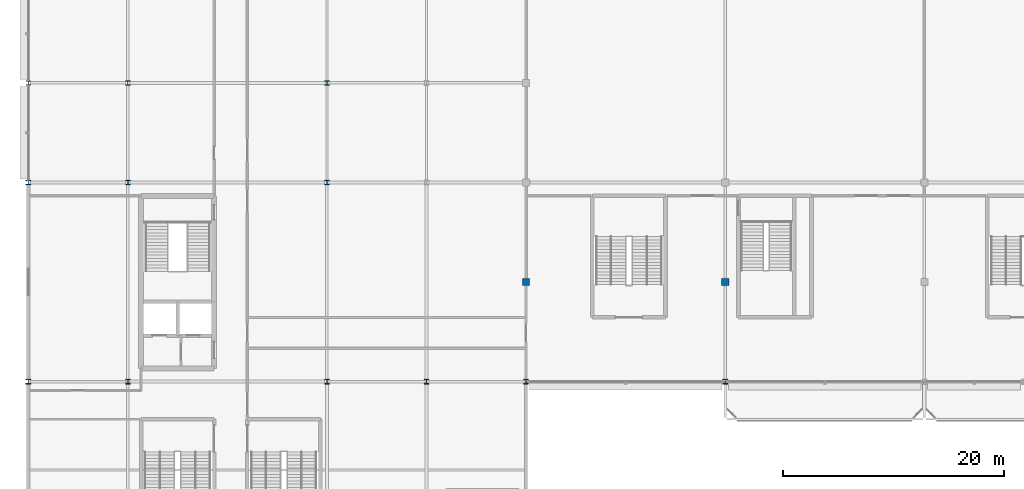
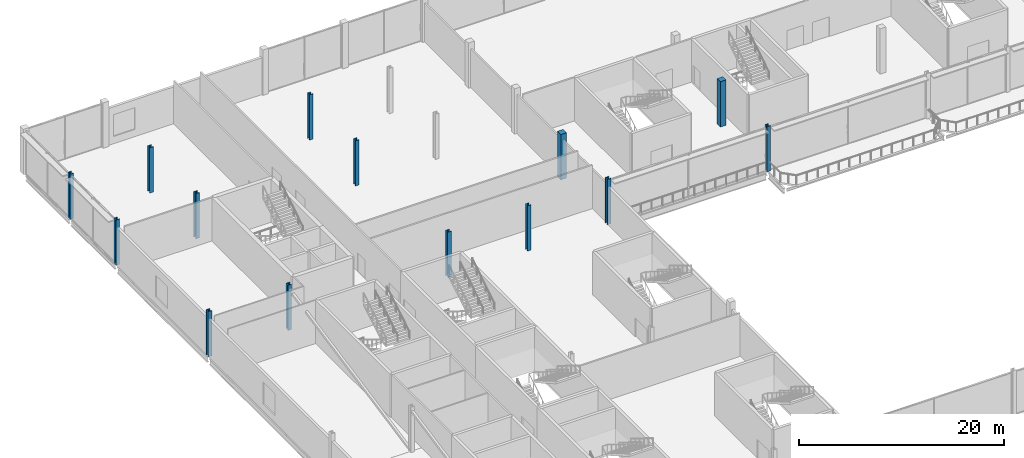
# One storey, part 4 of 113: 14 columns.
"""IFC4 building model written with IfcOpenShell, lengths in metres."""

from ifc_helpers import new_model, si_unit, direction, frame, origin, origin_2d, place, context, subcontext, project, spatial, rectangle, i_section, extrude, material, material_profile, profile_set, type_object, element, save


model = new_model("IFC4")

# Units and contexts
model_context = context("Model", 3, precision=1e-05, world=origin(), true_north=direction((0.0, 1.0)))
body_context = subcontext(model_context, "Body", "Model", "MODEL_VIEW")
ifc_project = project(units=[si_unit("LENGTHUNIT", "METRE"), si_unit("AREAUNIT", "SQUARE_METRE"), si_unit("VOLUMEUNIT", "CUBIC_METRE"), si_unit("PLANEANGLEUNIT", "RADIAN"), si_unit("MASSUNIT", "GRAM", prefix="KILO")], contexts=[model_context])

# Site, building, storey
site_placement = place(None, origin())
site = spatial("IfcSite", under=ifc_project, at=site_placement, CompositionType="ELEMENT")
building_placement = place(site_placement, origin())
building = spatial("IfcBuilding", under=site, at=building_placement, Name="Kisiwana Market Hall", CompositionType="ELEMENT")
storey_placement = place(building_placement, frame((0.0, 0.0, 6.0)))
storey = spatial("IfcBuildingStorey", under=building, at=storey_placement, Name="L01", CompositionType="ELEMENT", Elevation=6.0)

# Columns
ifc_material_1 = material(Name="Concrete C40/50", Category="concrete")
ifc_material_profile_1 = material_profile(ifc_material_1, rectangle(XDim=0.64990234375, YDim=0.64990234375, at=origin_2d()), Name="RC 650x650")
ifc_profile_set_1 = profile_set([ifc_material_profile_1], Name="Concrete C40/50")
column_type_1 = type_object("IfcColumnType", Name="COL-RC-POD-650", PredefinedType="COLUMN", material=ifc_profile_set_1)
for number, where, z_axis, x_axis, name in (
    (1, (45.0, 93.0, 0.0), (0.0, 0.0, 1.0), (1.0, 0.0, 0.0), "Column M/6 (L01) C-0401"),
    (2, (63.0, 93.0, 0.0), (0.0, 0.0, 1.0), (1.0, 0.0, 0.0), "Column M/8 (L01) C-0410"),
):
    element("IfcColumn", number, at=place(storey_placement, frame(where, z_axis=z_axis, x_axis=x_axis)), inside=storey, type_object=column_type_1, Name=name, PredefinedType="COLUMN", context=body_context, shape_type="SweptSolid", body=[
        extrude(rectangle(XDim=0.64990234375, YDim=0.64990234375, at=origin_2d()), origin(), (0.0, 0.0, 1.0), 5.39990234375),
    ])
ifc_material_2 = material(Name="Steel S355", Category="steel")
ifc_material_profile_2 = material_profile(ifc_material_2, i_section(OverallWidth=0.412109375, OverallDepth=0.43505859375, WebThickness=0.035888671875, FlangeThickness=0.05810546875, at=origin_2d()), Name="HD 400x463")
ifc_profile_set_2 = profile_set([ifc_material_profile_2], Name="Steel S355")
column_type_2 = type_object("IfcColumnType", Name="COL-STL-HD463", PredefinedType="COLUMN", material=ifc_profile_set_2)
for number, where, z_axis, x_axis, name in (
    (3, (0.0, 84.0, 0.0), (0.0, 0.0, 1.0), (1.0, 0.0, 0.0), "Column L/1 (L01) C-0365"),
    (4, (0.0, 102.0, 0.0), (0.0, 0.0, 1.0), (1.0, 0.0, 0.0), "Column N/1 (L01) C-0366"),
    (5, (9.0, 84.0, 0.0), (0.0, 0.0, 1.0), (1.0, 0.0, 0.0), "Column L/2 (L01) C-0373"),
    (6, (9.0, 102.0, 0.0), (0.0, 0.0, 1.0), (1.0, 0.0, 0.0), "Column N/2 (L01) C-0374"),
    (7, (27.0, 84.0, 0.0), (0.0, 0.0, 1.0), (1.0, 0.0, 0.0), "Column L/4 (L01) C-0382"),
    (8, (27.0, 102.0, 0.0), (0.0, 0.0, 1.0), (1.0, 0.0, 0.0), "Column N/4 (L01) C-0383"),
    (9, (36.0, 84.0, 0.0), (0.0, 0.0, 1.0), (1.0, 0.0, 0.0), "Column L/5 (L01) C-0390"),
    (10, (45.0, 84.0, 0.0), (0.0, 0.0, 1.0), (1.0, 0.0, 0.0), "Column L/6 (L01) C-0400"),
    (11, (63.0, 84.0, 0.0), (0.0, 0.0, 1.0), (1.0, 0.0, 0.0), "Column L/8 (L01) C-0409"),
):
    element("IfcColumn", number, at=place(storey_placement, frame(where, z_axis=z_axis, x_axis=x_axis)), inside=storey, type_object=column_type_2, Name=name, PredefinedType="COLUMN", context=body_context, shape_type="SweptSolid", body=[
        extrude(i_section(OverallWidth=0.412109375, OverallDepth=0.43505859375, WebThickness=0.035888671875, FlangeThickness=0.05810546875, at=origin_2d()), origin(), (0.0, 0.0, 1.0), 5.39990234375),
    ])
ifc_material_3 = material(Name="Steel S355", Category="steel")
ifc_material_profile_3 = material_profile(ifc_material_3, i_section(OverallWidth=0.403076171875, OverallDepth=0.406494140625, WebThickness=0.026611328125, FlangeThickness=0.04296875, at=origin_2d()), Name="UC 356x406x340")
ifc_profile_set_3 = profile_set([ifc_material_profile_3], Name="Steel S355")
column_type_3 = type_object("IfcColumnType", Name="COL-STL-UC340", PredefinedType="COLUMN", material=ifc_profile_set_3)
for number, where, z_axis, x_axis, name in (
    (12, (0.0, 111.0, 0.0), (0.0, 0.0, 1.0), (1.0, 0.0, 0.0), "Column P/1 (L01) C-0367"),
    (13, (9.0, 111.0, 0.0), (0.0, 0.0, 1.0), (1.0, 0.0, 0.0), "Column P/2 (L01) C-0375"),
    (14, (27.0, 111.0, 0.0), (0.0, 0.0, 1.0), (1.0, 0.0, 0.0), "Column P/4 (L01) C-0384"),
):
    element("IfcColumn", number, at=place(storey_placement, frame(where, z_axis=z_axis, x_axis=x_axis)), inside=storey, type_object=column_type_3, Name=name, PredefinedType="COLUMN", context=body_context, shape_type="SweptSolid", body=[
        extrude(i_section(OverallWidth=0.403076171875, OverallDepth=0.406494140625, WebThickness=0.026611328125, FlangeThickness=0.04296875, at=origin_2d()), origin(), (0.0, 0.0, 1.0), 5.39990234375),
    ])

save(model, "model.ifc")
